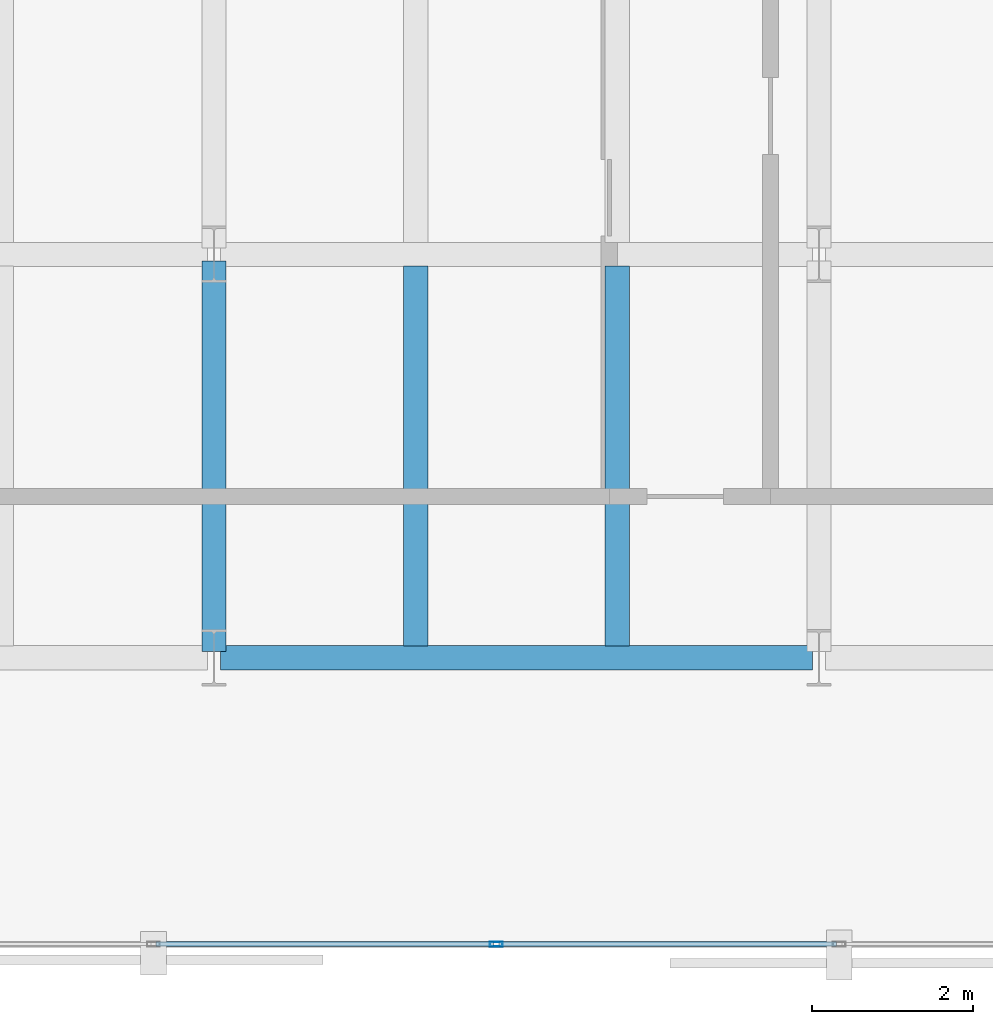
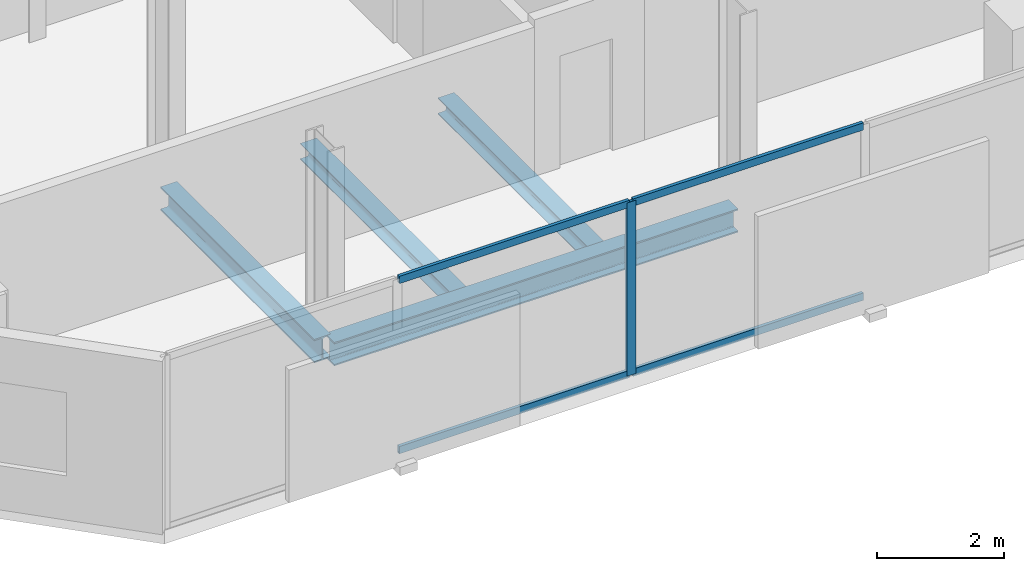
# One storey, part 4 of 33: 5 members, 4 beams, 1 element without a shape of its own.
"""IFC4 building model written with IfcOpenShell, lengths in metres."""

from ifc_helpers import new_model, si_unit, direction, frame, origin, origin_2d, place, context, subcontext, project, spatial, hollow_rectangle, i_section, extrude, material, layer, layer_set, material_profile, profile_set, type_object, element, aggregate, save


model = new_model("IFC4")

# Units and contexts
model_context = context("Model", 3, precision=1e-05, world=origin(), true_north=direction((0.0, 1.0)))
body_context = subcontext(model_context, "Body", "Model", "MODEL_VIEW")
ifc_project = project(units=[si_unit("LENGTHUNIT", "METRE"), si_unit("AREAUNIT", "SQUARE_METRE"), si_unit("VOLUMEUNIT", "CUBIC_METRE"), si_unit("PLANEANGLEUNIT", "RADIAN"), si_unit("MASSUNIT", "GRAM", prefix="KILO")], contexts=[model_context])

# Site, building, storey
site_placement = place(None, origin())
site = spatial("IfcSite", under=ifc_project, at=site_placement, CompositionType="ELEMENT")
building_placement = place(site_placement, origin())
building = spatial("IfcBuilding", under=site, at=building_placement, Name="Catumbela Crestline Tower", CompositionType="ELEMENT")
storey_placement = place(building_placement, frame((0.0, 0.0, 104.4)))
storey = spatial("IfcBuildingStorey", under=building, at=storey_placement, Name="L26", CompositionType="ELEMENT", Elevation=104.4)

# Beams
ifc_material_1 = material(Name="Structural steel S355J2", Category="steel")
ifc_material_profile_1 = material_profile(ifc_material_1, i_section(OverallWidth=0.3, OverallDepth=0.45, WebThickness=0.014, FlangeThickness=0.026, FilletRadius=0.027, at=origin_2d()), Name="HEB 450")
ifc_profile_set_1 = profile_set([ifc_material_profile_1], Name="Structural steel S355J2")
beam_type_1 = type_object("IfcBeamType", Name="BG-HEB450", PredefinedType="BEAM", material=ifc_profile_set_1)
beam_1_placement = place(storey_placement, frame((8.58, 8.6, -0.485), z_axis=(1.0, 0.0, 0.0), x_axis=(0.0, 1.0, 0.0)))
element("IfcBeam", 1, at=beam_1_placement, inside=storey, type_object=beam_type_1, Name="L26 Beam BM-L26-WEW44", PredefinedType="BEAM", context=body_context, shape_type="SweptSolid", body=[
    extrude(i_section(OverallWidth=0.3, OverallDepth=0.45, WebThickness=0.014, FlangeThickness=0.026, FilletRadius=0.027, at=origin_2d()), origin(), (0.0, 0.0, 1.0), 7.34),
])
beam_2_placement = place(storey_placement, frame((8.5, 8.68, -0.485), z_axis=(0.0, 1.0, 0.0), x_axis=(-1.0, 0.0, 0.0)))
element("IfcBeam", 2, at=beam_2_placement, inside=storey, type_object=beam_type_1, Name="L26 Beam BM-L26-WNS55", PredefinedType="BEAM", context=body_context, shape_type="SweptSolid", body=[
    extrude(i_section(OverallWidth=0.3, OverallDepth=0.45, WebThickness=0.014, FlangeThickness=0.026, FilletRadius=0.027, at=origin_2d()), origin(), (0.0, 0.0, 1.0), 4.84),
])
ifc_material_profile_2 = material_profile(ifc_material_1, i_section(OverallWidth=0.3, OverallDepth=0.31, WebThickness=0.009, FlangeThickness=0.0155, FilletRadius=0.027, at=origin_2d()), Name="HEA 320")
ifc_profile_set_2 = profile_set([ifc_material_profile_2], Name="Structural steel S355J2")
beam_type_2 = type_object("IfcBeamType", Name="BJ-HEA320", PredefinedType="JOIST", material=ifc_profile_set_2)
for number, where, z_axis, x_axis, name in (
    (3, (11.0, 8.747, -0.415), (0.0, 1.0, 0.0), (-1.0, 0.0, 0.0), "L26 Joist JS-L26-WG65"),
    (4, (13.5, 8.747, -0.415), (0.0, 1.0, 0.0), (-1.0, 0.0, 0.0), "L26 Joist JS-L26-WG66"),
):
    element("IfcBeam", number, at=place(storey_placement, frame(where, z_axis=z_axis, x_axis=x_axis)), inside=storey, type_object=beam_type_2, Name=name, PredefinedType="JOIST", context=body_context, shape_type="SweptSolid", body=[
        extrude(i_section(OverallWidth=0.3, OverallDepth=0.31, WebThickness=0.009, FlangeThickness=0.0155, FilletRadius=0.027, at=origin_2d()), origin(), (0.0, 0.0, 1.0), 4.706),
    ])

# Curtain wall, members
ifc_material_2 = material(Name="Aluminium alloy AW-6060-T66", Category="aluminium")
ifc_layer = layer(ifc_material_2, 0.18, Name="Aluminium alloy AW-6060-T66")
ifc_layer_set = layer_set([ifc_layer], Name="Aluminium alloy AW-6060-T66")
curtain_wall_type = type_object("IfcCurtainWallType", Name="CWU-Z2", PredefinedType="USERDEFINED", material=ifc_layer_set)
curtain_wall_placement = place(storey_placement, origin())
curtain_wall = element("IfcCurtainWall", 5, at=curtain_wall_placement, inside=storey, type_object=curtain_wall_type, Name="L26 Unitised Curtain Wall CW-L26-E0S1", ObjectType="UNITISED", PredefinedType="USERDEFINED")
ifc_material_profile_3 = material_profile(ifc_material_2, hollow_rectangle(XDim=0.06, YDim=0.16, WallThickness=0.004, at=origin_2d()), Name="ALU 160x60x4")
ifc_profile_set_3 = profile_set([ifc_material_profile_3], Name="Aluminium alloy AW-6060-T66")
member_type_1 = type_object("IfcMemberType", Name="MUL-160X60", PredefinedType="MULLION", material=ifc_profile_set_3)
member_1_placement = place(storey_placement, frame((12.0, 5.05, 0.0), z_axis=(0.0, 0.0, 1.0), x_axis=(0.0, 1.0, 0.0)))
member_1 = element("IfcMember", 6, at=member_1_placement, type_object=member_type_1, Name="CWU-Z2 mullion 3", PredefinedType="MULLION", context=body_context, shape_type="SweptSolid", body=[
    extrude(hollow_rectangle(XDim=0.06, YDim=0.16, WallThickness=0.004, at=origin_2d()), origin(), (0.0, 0.0, 1.0), 3.33),
])
ifc_material_profile_4 = material_profile(ifc_material_2, hollow_rectangle(XDim=0.06, YDim=0.14, WallThickness=0.004, at=origin_2d()), Name="ALU 140x60x4")
ifc_profile_set_4 = profile_set([ifc_material_profile_4], Name="Aluminium alloy AW-6060-T66")
member_type_2 = type_object("IfcMemberType", Name="TRN-140X60", PredefinedType="USERDEFINED", material=ifc_profile_set_4)
member_2_placement = place(storey_placement, frame((7.7825, 5.05, 0.03), z_axis=(1.0, 0.0, 0.0), x_axis=(0.0, 1.0, 0.0)))
member_2 = element("IfcMember", 7, at=member_2_placement, type_object=member_type_2, Name="CWU-Z2 transom 2.1", ObjectType="TRANSOM", PredefinedType="USERDEFINED", context=body_context, shape_type="SweptSolid", body=[
    extrude(hollow_rectangle(XDim=0.06, YDim=0.14, WallThickness=0.004, at=origin_2d()), origin(), (0.0, 0.0, 1.0), 4.185),
])
member_3_placement = place(storey_placement, frame((7.7825, 5.05, 3.3), z_axis=(1.0, 0.0, 0.0), x_axis=(0.0, 1.0, 0.0)))
member_3 = element("IfcMember", 8, at=member_3_placement, type_object=member_type_2, Name="CWU-Z2 transom 2.2", ObjectType="TRANSOM", PredefinedType="USERDEFINED", context=body_context, shape_type="SweptSolid", body=[
    extrude(hollow_rectangle(XDim=0.06, YDim=0.14, WallThickness=0.004, at=origin_2d()), origin(), (0.0, 0.0, 1.0), 4.185),
])
member_4_placement = place(storey_placement, frame((12.0325, 5.05, 0.03), z_axis=(1.0, 0.0, 0.0), x_axis=(0.0, 1.0, 0.0)))
member_4 = element("IfcMember", 9, at=member_4_placement, type_object=member_type_2, Name="CWU-Z2 transom 3.1", ObjectType="TRANSOM", PredefinedType="USERDEFINED", context=body_context, shape_type="SweptSolid", body=[
    extrude(hollow_rectangle(XDim=0.06, YDim=0.14, WallThickness=0.004, at=origin_2d()), origin(), (0.0, 0.0, 1.0), 4.185),
])
member_5_placement = place(storey_placement, frame((12.0325, 5.05, 3.3), z_axis=(1.0, 0.0, 0.0), x_axis=(0.0, 1.0, 0.0)))
member_5 = element("IfcMember", 10, at=member_5_placement, type_object=member_type_2, Name="CWU-Z2 transom 3.2", ObjectType="TRANSOM", PredefinedType="USERDEFINED", context=body_context, shape_type="SweptSolid", body=[
    extrude(hollow_rectangle(XDim=0.06, YDim=0.14, WallThickness=0.004, at=origin_2d()), origin(), (0.0, 0.0, 1.0), 4.185),
])
aggregate(curtain_wall, [member_1, member_2, member_3, member_4, member_5])

save(model, "model.ifc")
